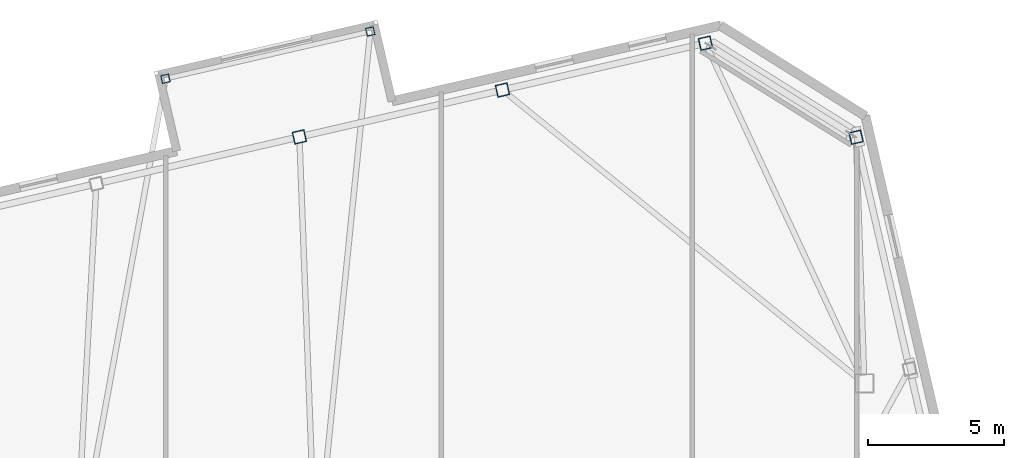
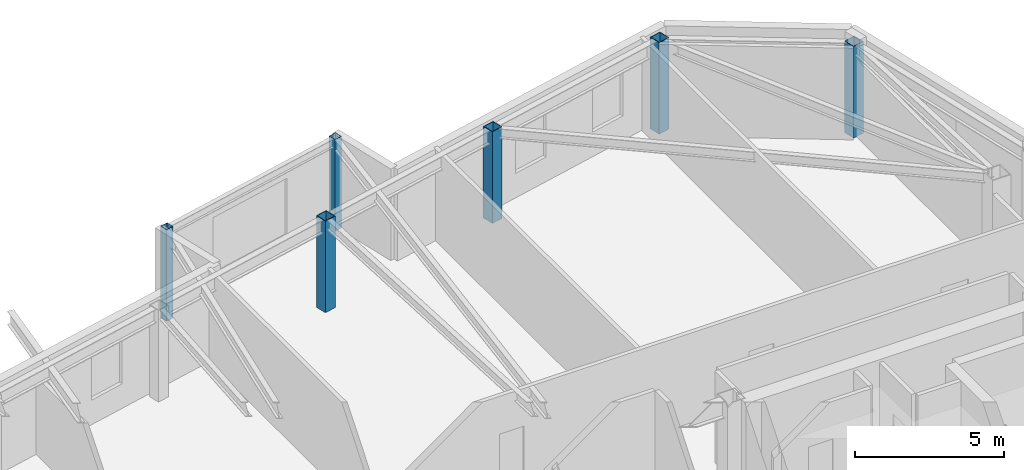
# One storey, part 3 of 22: 6 columns.
"""IFC4 building model written with IfcOpenShell, lengths in metres."""

from ifc_helpers import new_model, si_unit, direction, frame, origin, origin_2d, place, context, subcontext, project, spatial, hollow_rectangle, extrude, material, material_profile, profile_set, type_object, element, save


model = new_model("IFC4")

# Units and contexts
model_context = context("Model", 3, precision=1e-05, world=origin(), true_north=direction((0.0, 1.0)))
body_context = subcontext(model_context, "Body", "Model", "MODEL_VIEW")
ifc_project = project(units=[si_unit("LENGTHUNIT", "METRE"), si_unit("AREAUNIT", "SQUARE_METRE"), si_unit("VOLUMEUNIT", "CUBIC_METRE"), si_unit("PLANEANGLEUNIT", "RADIAN"), si_unit("MASSUNIT", "GRAM", prefix="KILO")], contexts=[model_context])

# Site, building, storey
site_placement = place(None, origin())
site = spatial("IfcSite", under=ifc_project, at=site_placement, CompositionType="ELEMENT")
building_placement = place(site_placement, origin())
building = spatial("IfcBuilding", under=site, at=building_placement, Name="Tavrogorsk Clinical Tower", CompositionType="ELEMENT")
storey_placement = place(building_placement, frame((0.0, 0.0, 317.0)))
storey = spatial("IfcBuildingStorey", under=building, at=storey_placement, Name="L74", CompositionType="ELEMENT", Elevation=317.0)

# Columns
ifc_material_1 = material(Name="Structural steel S390", Category="steel")
ifc_material_profile_1 = material_profile(ifc_material_1, hollow_rectangle(XDim=0.300048828125, YDim=0.300048828125, WallThickness=0.01611328125, at=origin_2d()), Name="SHS-300x300x16")
ifc_profile_set_1 = profile_set([ifc_material_profile_1], Name="Structural steel S390")
column_type_1 = type_object("IfcColumnType", Name="DayroomCol_SHS300", PredefinedType="COLUMN", material=ifc_profile_set_1)
for number, where, z_axis, x_axis, name in (
    (1, (-1.10205078125, 24.362548828125, 0.0), (0.0, 0.0, 1.0), (0.974370064785, 0.224951054344, 0.0), "L74 Day-Room Box Column DRB-10-L"),
    (2, (6.400634765625, 26.0947265625, 0.0), (0.0, 0.0, 1.0), (0.974370064785, 0.224951054344, 0.0), "L74 Day-Room Box Column DRB-10-R"),
):
    element("IfcColumn", number, at=place(storey_placement, frame(where, z_axis=z_axis, x_axis=x_axis)), inside=storey, type_object=column_type_1, Name=name, PredefinedType="COLUMN", context=body_context, shape_type="SweptSolid", body=[
        extrude(hollow_rectangle(XDim=0.300048828125, YDim=0.300048828125, WallThickness=0.01611328125, at=origin_2d()), origin(), (0.0, 0.0, 1.0), 3.739990234375),
    ])
ifc_material_2 = material(Name="Structural steel S440", Category="steel")
ifc_material_profile_2 = material_profile(ifc_material_2, hollow_rectangle(XDim=0.449951171875, YDim=0.449951171875, WallThickness=0.02197265625, at=origin_2d()), Name="BOX-450x450x22")
ifc_profile_set_2 = profile_set([ifc_material_profile_2], Name="Structural steel S440")
column_type_2 = type_object("IfcColumnType", Name="PerimCol_B5_BOX450", PredefinedType="COLUMN", material=ifc_profile_set_2)
for number, where, z_axis, x_axis, name in (
    (3, (18.681640625, 25.666259765625, 0.0), (0.0, 0.0, 1.0), (0.974370064785, 0.224951054344, 0.0), "L74 Perimeter Column N1"),
    (4, (11.2431640625, 23.948974609375, 0.0), (0.0, 0.0, 1.0), (0.974370064785, 0.224951054344, 0.0), "L74 Perimeter Column N2"),
    (5, (3.804443359375, 22.231689453125, 0.0), (0.0, 0.0, 1.0), (0.974370064785, 0.224951054344, 0.0), "L74 Perimeter Column N3"),
    (6, (24.198486328125, 22.218994140625, 0.0), (0.0, 0.0, 1.0), (0.974370064785, 0.224951054344, 0.0), "L74 Perimeter Column E5"),
):
    element("IfcColumn", number, at=place(storey_placement, frame(where, z_axis=z_axis, x_axis=x_axis)), inside=storey, type_object=column_type_2, Name=name, PredefinedType="COLUMN", context=body_context, shape_type="SweptSolid", body=[
        extrude(hollow_rectangle(XDim=0.449951171875, YDim=0.449951171875, WallThickness=0.02197265625, at=origin_2d()), origin(), (0.0, 0.0, 1.0), 3.739990234375),
    ])

save(model, "model.ifc")
